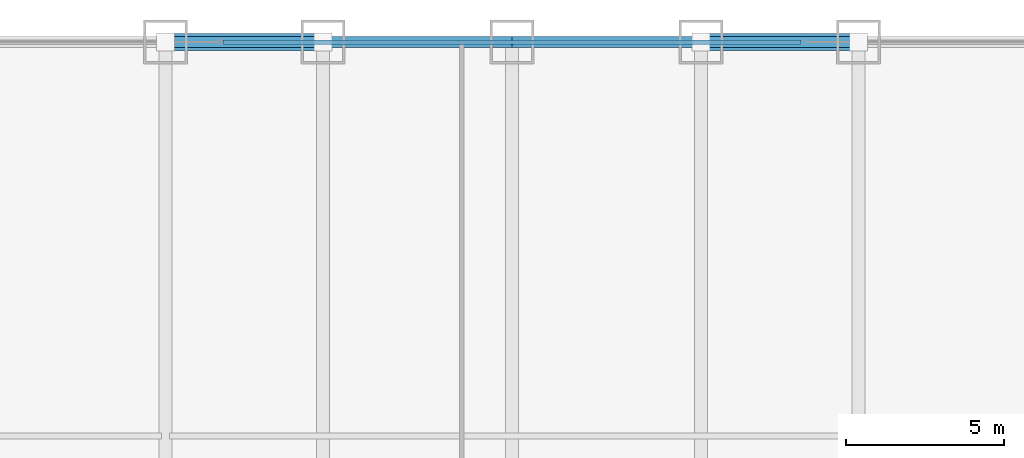
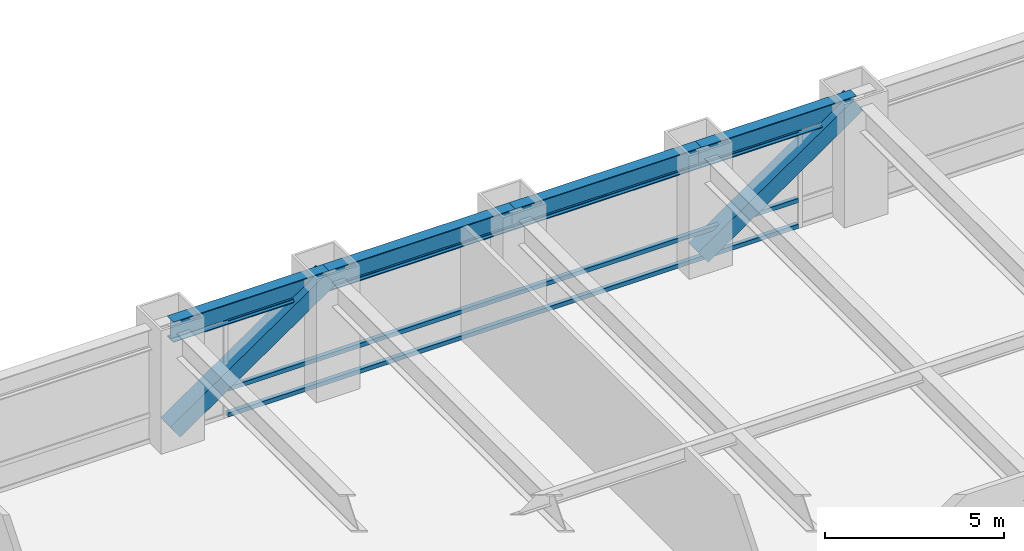
# One storey, part 20 of 28: 5 members, 4 beams, 1 element without a shape of its own.
"""IFC4 building model written with IfcOpenShell, lengths in metres."""

import ifcopenshell
import ifcopenshell.guid

model = None  # the IFC model being written
_history = None  # IfcOwnerHistory: only IFC2X3 demands one
_inside = {}  # id of a spatial element -> (the spatial element, [elements in it])
_under = {}  # id of a project, library or spatial element -> (it, [spatial elements below it])
_declared = {}  # id of a project -> (the project, [libraries it declares])
_typed = {}  # id of a type object -> (the type object, [elements of that type])
_made_of = {}  # id of a material, layer set ... -> (it, [elements and type objects made of it])


def new_model(schema):
    """Start an empty IFC model of exactly this schema.

    Asked for "IFC4X3", IfcOpenShell would pick the latest addendum, in which some entities
    have other attributes; the version numbers below select the first issue.
    IFC2X3 requires an IfcOwnerHistory on every rooted entity: one is made here for all.
    """
    global model, _history
    if schema == "IFC4X3":
        model = ifcopenshell.file(schema_version=(4, 3, 0, 0))
    else:
        model = ifcopenshell.file(schema=schema)
    _inside.clear()
    _under.clear()
    _declared.clear()
    _typed.clear()
    _made_of.clear()
    _history = None
    if model.schema == "IFC2X3":
        org = make("IfcOrganization", Name="unknown")
        user = make(
            "IfcPersonAndOrganization",
            ThePerson=make("IfcPerson", FamilyName="unknown"),
            TheOrganization=org,
        )
        app = make(
            "IfcApplication",
            ApplicationDeveloper=org,
            Version="unknown",
            ApplicationFullName="unknown",
            ApplicationIdentifier="unknown",
        )
        _history = make(
            "IfcOwnerHistory",
            OwningUser=user,
            OwningApplication=app,
            ChangeAction="ADDED",
            CreationDate=0,
        )
    return model


def make(cls, **values):
    """One entity of the class cls with the attributes given. An attribute that is None is left unset."""
    return model.create_entity(
        cls, **{name: value for name, value in values.items() if value is not None}
    )


def rooted(cls, **values):
    """An entity with a GlobalId (a new one), such as an element, a storey or a relation."""
    return make(cls, GlobalId=ifcopenshell.guid.new(), OwnerHistory=_history, **values)


def si_unit(unit_type, name, prefix=None):
    """IfcSIUnit, for example si_unit("LENGTHUNIT", "METRE", prefix="MILLI")."""
    return make("IfcSIUnit", UnitType=unit_type, Prefix=prefix, Name=name)


def assignment(units):
    """IfcUnitAssignment: the units of a project."""
    return None if units is None else make("IfcUnitAssignment", Units=units)


def point(xyz):
    """IfcCartesianPoint."""
    return None if xyz is None else make("IfcCartesianPoint", Coordinates=xyz)


def direction(xyz):
    """IfcDirection."""
    return None if xyz is None else make("IfcDirection", DirectionRatios=xyz)


def frame(location, z_axis=None, x_axis=None):
    """IfcAxis2Placement3D, a coordinate frame: its origin and axes. An axis left out is left unset."""
    return make(
        "IfcAxis2Placement3D",
        Location=point(location),
        Axis=direction(z_axis),
        RefDirection=direction(x_axis),
    )


def frame_2d(location, x_axis=None):
    """IfcAxis2Placement2D, a coordinate frame in the plane: its origin and x axis."""
    return make(
        "IfcAxis2Placement2D", Location=point(location), RefDirection=direction(x_axis)
    )


def origin():
    """The frame at (0, 0, 0) with its axes left unset."""
    return frame((0.0, 0.0, 0.0))


def origin_2d():
    """The frame at (0, 0) in the plane with its x axis left unset."""
    return frame_2d((0.0, 0.0))


def place(relative_to, where):
    """IfcLocalPlacement: puts the frame where relative to a parent placement (None: the world)."""
    return make(
        "IfcLocalPlacement", PlacementRelTo=relative_to, RelativePlacement=where
    )


def context(
    kind, dimensions, precision=None, world=None, true_north=None, identifier=None
):
    """IfcGeometricRepresentationContext, for example the 3D "Model" context."""
    return make(
        "IfcGeometricRepresentationContext",
        ContextIdentifier=identifier,
        ContextType=kind,
        CoordinateSpaceDimension=dimensions,
        Precision=precision,
        WorldCoordinateSystem=world,
        TrueNorth=true_north,
    )


def subcontext(parent, identifier, kind, view, scale=None):
    """IfcGeometricRepresentationSubContext, for example "Body" below "Model"."""
    return make(
        "IfcGeometricRepresentationSubContext",
        ContextIdentifier=identifier,
        ContextType=kind,
        ParentContext=parent,
        TargetScale=scale,
        TargetView=view,
    )


def project(units=None, contexts=None):
    """IfcProject with its units and contexts."""
    return rooted(
        "IfcProject",
        Name="project",
        RepresentationContexts=contexts,
        UnitsInContext=assignment(units),
    )


def spatial(cls, under=None, at=None, **own):
    """A site, building, storey or space (cls), placed at a placement, below another one or the project."""
    s = rooted(cls, ObjectPlacement=at, **own)
    if under is not None:
        _under.setdefault(under.id(), (under, []))[1].append(s)
    return s


def profile(cls, at=None, kind="AREA", **sizes):
    """A parametric profile (cls). Its sizes go by their IFC names, for example OverallWidth=200.0."""
    return make(cls, ProfileType=kind, Position=at, **sizes)


def hollow_rectangle(**sizes):
    """IfcRectangleHollowProfileDef."""
    return profile("IfcRectangleHollowProfileDef", **sizes)


def i_section(**sizes):
    """IfcIShapeProfileDef."""
    return profile("IfcIShapeProfileDef", **sizes)


def extrude(swept, where, along, depth):
    """IfcExtrudedAreaSolid: the profile swept, set in the frame where, extruded along a direction by depth."""
    return make(
        "IfcExtrudedAreaSolid",
        SweptArea=swept,
        Position=where,
        ExtrudedDirection=direction(along),
        Depth=depth,
    )


def shape(context_of_items, identifier, shape_type, items):
    """IfcShapeRepresentation: the items that make up one representation, for example the "Body"."""
    return make(
        "IfcShapeRepresentation",
        ContextOfItems=context_of_items,
        RepresentationIdentifier=identifier,
        RepresentationType=shape_type,
        Items=items,
    )


def source(mapping_origin, context_of_items, identifier, shape_type, items):
    """IfcRepresentationMap: a shape defined once, which mapped items show again and again."""
    return make(
        "IfcRepresentationMap",
        MappingOrigin=mapping_origin,
        MappedRepresentation=shape(context_of_items, identifier, shape_type, items),
    )


def transform(
    local_origin,
    x_axis=None,
    y_axis=None,
    z_axis=None,
    scale=None,
    scale2=None,
    scale3=None,
    uniform=True,
):
    """IfcCartesianTransformationOperator3D, or its non-uniform kind. x_axis, y_axis, z_axis: its Axis1, 2, 3."""
    if uniform:
        return make(
            "IfcCartesianTransformationOperator3D",
            Axis1=direction(x_axis),
            Axis2=direction(y_axis),
            LocalOrigin=point(local_origin),
            Scale=scale,
            Axis3=direction(z_axis),
        )
    return make(
        "IfcCartesianTransformationOperator3DnonUniform",
        Axis1=direction(x_axis),
        Axis2=direction(y_axis),
        LocalOrigin=point(local_origin),
        Scale=scale,
        Axis3=direction(z_axis),
        Scale2=scale2,
        Scale3=scale3,
    )


def mapped(mapping_source, mapping_target):
    """IfcMappedItem: shows the shape of a source again, moved by a transform."""
    return make(
        "IfcMappedItem", MappingSource=mapping_source, MappingTarget=mapping_target
    )


def material(Name=None, Category=None):
    """IfcMaterial."""
    return make("IfcMaterial", Name=Name, Category=Category)


def material_profile(
    of_material, cross_section, Name=None, Category=None, Priority=None
):
    """IfcMaterialProfile: a cross section and its material."""
    return make(
        "IfcMaterialProfile",
        Name=Name,
        Material=of_material,
        Profile=cross_section,
        Priority=Priority,
        Category=Category,
    )


def profile_set(profiles, Name=None, composite=None):
    """IfcMaterialProfileSet."""
    return make(
        "IfcMaterialProfileSet",
        Name=Name,
        MaterialProfiles=profiles,
        CompositeProfile=composite,
    )


def made_of(thing, what):
    """Note that an element or type object is made of a material, layer set ...; save() writes the relation."""
    if what is not None:
        _made_of.setdefault(what.id(), (what, []))[1].append(thing)
    return thing


def type_object(cls, material=None, **own):
    """A type object (cls), such as IfcWallType, which elements share."""
    return made_of(rooted(cls, **own), material)


def element(
    cls,
    number,
    at=None,
    inside=None,
    cuts=None,
    type_object=None,
    material=None,
    context=None,
    identifier="Body",
    shape_type=None,
    held_by="IfcProductDefinitionShape",
    body=None,
    shapes=None,
    **own,
):
    """One element of the class cls, such as IfcWall. Its Tag is "e" and its number.

    at: its placement. inside: the storey or other place that contains it. cuts: it is an
    opening in that element (IfcRelVoidsElement). A single representation is given by context,
    identifier, shape_type and body (its items); several are given by shapes. held_by: the class
    of the entity that holds the representations. save() writes the other relations.
    """
    e = rooted(cls, Tag="e%d" % number, ObjectPlacement=at, **own)
    if body is not None:
        shapes = [shape(context, identifier, shape_type, body)]
    if shapes is not None:
        e.Representation = make(held_by, Representations=shapes)
    if inside is not None:
        _inside.setdefault(inside.id(), (inside, []))[1].append(e)
    if cuts is not None:
        rooted(
            "IfcRelVoidsElement", RelatingBuildingElement=cuts, RelatedOpeningElement=e
        )
    if type_object is not None:
        _typed.setdefault(type_object.id(), (type_object, []))[1].append(e)
    return made_of(e, material)


def aggregate(whole, parts):
    """IfcRelAggregates: a whole, such as a stair, and the parts it consists of."""
    return rooted("IfcRelAggregates", RelatingObject=whole, RelatedObjects=parts)


def save(model, path):
    """Write the relations noted so far, then the file.

    IfcRelAggregates (storeys below a building ...), IfcRelContainedInSpatialStructure (elements
    in a storey), IfcRelDefinesByType, IfcRelAssociatesMaterial and IfcRelDeclares: one each for
    every whole, place, type object, material and project.
    """
    for whole, parts in _under.values():
        aggregate(whole, parts)
    for where, things in _inside.values():
        rooted(
            "IfcRelContainedInSpatialStructure",
            RelatedElements=things,
            RelatingStructure=where,
        )
    for kind, things in _typed.values():
        rooted("IfcRelDefinesByType", RelatedObjects=things, RelatingType=kind)
    for what, things in _made_of.values():
        rooted("IfcRelAssociatesMaterial", RelatedObjects=things, RelatingMaterial=what)
    for by, libraries in _declared.values():
        rooted("IfcRelDeclares", RelatingContext=by, RelatedDefinitions=libraries)
    model.write(path)


model = new_model("IFC4")

# Units and contexts
model_context = context("Model", 3, precision=1e-05, world=origin(), true_north=direction((0.0, 1.0)))
body_context = subcontext(model_context, "Body", "Model", "MODEL_VIEW")
ifc_project = project(units=[si_unit("LENGTHUNIT", "METRE"), si_unit("AREAUNIT", "SQUARE_METRE"), si_unit("VOLUMEUNIT", "CUBIC_METRE"), si_unit("PLANEANGLEUNIT", "RADIAN"), si_unit("MASSUNIT", "GRAM", prefix="KILO")], contexts=[model_context])

# Site, building, storey
site_placement = place(None, origin())
site = spatial("IfcSite", under=ifc_project, at=site_placement, CompositionType="ELEMENT")
building_placement = place(site_placement, origin())
building = spatial("IfcBuilding", under=site, at=building_placement, Name="Khorayat Bourse Tower", CompositionType="ELEMENT")
storey_placement = place(building_placement, frame((0.0, 0.0, 62.0)))
storey = spatial("IfcBuildingStorey", under=building, at=storey_placement, Name="L13", CompositionType="ELEMENT", Elevation=62.0)

# Beams
ifc_material_1 = material(Name="Steel ASTM A992 Grade 50", Category="steel")
ifc_material_profile_1 = material_profile(ifc_material_1, i_section(OverallWidth=0.35498046875, OverallDepth=0.695068359375, WebThickness=0.015380859375, FlangeThickness=0.02490234375, FilletRadius=0.01806640625, at=origin_2d()), Name="W690X217")
ifc_profile_set_1 = profile_set([ifc_material_profile_1], Name="Steel ASTM A992 Grade 50")
beam_type = type_object("IfcBeamType", Name="BM-SPAN-690", PredefinedType="SPANDREL", material=ifc_profile_set_1)
shared_shape_1 = source(origin(), body_context, "Body", "SweptSolid", [
    extrude(i_section(OverallWidth=0.35498046875, OverallDepth=0.695068359375, WebThickness=0.015380859375, FlangeThickness=0.02490234375, FilletRadius=0.01806640625, at=origin_2d()), origin(), (0.0, 0.0, 1.0), 5.0),
])
for number, where, z_axis, x_axis, name in (
    (1, (6.0, 32.0, 3.592529296875), (1.0, 0.0, 0.0), (0.0, 1.0, 0.0), "L13 BM-SPAN-690 BM-L13-SPN-046"),
    (2, (-11.0, 32.0, 3.592529296875), (1.0, 0.0, 0.0), (0.0, 1.0, 0.0), "L13 BM-SPAN-690 BM-L13-SPN-049"),
):
    element("IfcBeam", number, at=place(storey_placement, frame(where, z_axis=z_axis, x_axis=x_axis)), inside=storey, type_object=beam_type, Name=name, PredefinedType="SPANDREL", context=body_context, shape_type="MappedRepresentation", body=[
        mapped(shared_shape_1, transform((0.0, 0.0, 0.0), scale=1.0)),
    ])
shared_shape_2 = source(origin(), body_context, "Body", "SweptSolid", [
    extrude(i_section(OverallWidth=0.35498046875, OverallDepth=0.695068359375, WebThickness=0.015380859375, FlangeThickness=0.02490234375, FilletRadius=0.01806640625, at=origin_2d()), origin(), (0.0, 0.0, 1.0), 6.0),
])
for number, where, z_axis, x_axis, name in (
    (3, (0.0, 32.0, 3.592529296875), (1.0, 0.0, 0.0), (0.0, 1.0, 0.0), "L13 BM-SPAN-690 BM-L13-SPN-047"),
    (4, (-6.0, 32.0, 3.592529296875), (1.0, 0.0, 0.0), (0.0, 1.0, 0.0), "L13 BM-SPAN-690 BM-L13-SPN-048"),
):
    element("IfcBeam", number, at=place(storey_placement, frame(where, z_axis=z_axis, x_axis=x_axis)), inside=storey, type_object=beam_type, Name=name, PredefinedType="SPANDREL", context=body_context, shape_type="MappedRepresentation", body=[
        mapped(shared_shape_2, transform((0.0, 0.0, 0.0), scale=1.0)),
    ])

# Members
ifc_material_2 = material(Name="Steel EN 10025-4 S460M", Category="steel")
ifc_material_profile_2 = material_profile(ifc_material_2, hollow_rectangle(XDim=0.550048828125, YDim=0.550048828125, WallThickness=0.031982421875, at=origin_2d()), Name="HSS 550x550x32")
ifc_profile_set_2 = profile_set([ifc_material_profile_2], Name="Steel EN 10025-4 S460M")
member_type_1 = type_object("IfcMemberType", Name="MBR-TUBE-550", PredefinedType="BRACE", material=ifc_profile_set_2)
shared_shape_3 = source(origin(), body_context, "Body", "SweptSolid", [
    extrude(hollow_rectangle(XDim=0.550048828125, YDim=0.550048828125, WallThickness=0.031982421875, at=origin_2d()), origin(), (0.0, 0.0, 1.0), 6.069091796875),
])
for number, where, z_axis, x_axis, name in (
    (5, (-11.0, 32.0, 0.25), (0.823854080622, 0.0, 0.566801952928), (0.0, 1.0, 0.0), "L13 Perimeter Tube Brace 03"),
    (6, (6.0, 32.0, 0.25), (0.823854080622, 0.0, 0.566801952928), (0.0, 1.0, 0.0), "L13 Perimeter Tube Brace 04"),
):
    element("IfcMember", number, at=place(storey_placement, frame(where, z_axis=z_axis, x_axis=x_axis)), inside=storey, type_object=member_type_1, Name=name, PredefinedType="BRACE", context=body_context, shape_type="MappedRepresentation", body=[
        mapped(shared_shape_3, transform((0.0, 0.0, 0.0), scale=1.0)),
    ])

# Curtain wall, members
ifc_material_3 = material(Name="Aluminium EN AW-6063 T6", Category="aluminium")
curtain_wall_type = type_object("IfcCurtainWallType", Name="CW-SYS-02", PredefinedType="NOTDEFINED", material=ifc_material_3)
curtain_wall_placement = place(storey_placement, origin())
curtain_wall = element("IfcCurtainWall", 7, at=curtain_wall_placement, inside=storey, type_object=curtain_wall_type, Name="L13 Curtain Wall CW-L13-N1", PredefinedType="NOTDEFINED")
ifc_material_profile_3 = material_profile(ifc_material_3, hollow_rectangle(XDim=0.139892578125, YDim=0.139892578125, WallThickness=0.006103515625, at=origin_2d()), Name="ALU 140x140x6")
ifc_profile_set_3 = profile_set([ifc_material_profile_3], Name="Aluminium EN AW-6063 T6")
member_type_2 = type_object("IfcMemberType", Name="CWT-HORZ-140", PredefinedType="USERDEFINED", material=ifc_profile_set_3)
shared_shape_4 = source(origin(), body_context, "Body", "SweptSolid", [
    extrude(hollow_rectangle(XDim=0.139892578125, YDim=0.139892578125, WallThickness=0.006103515625, at=origin_2d()), origin(), (0.0, 0.0, 1.0), 18.35986328125),
])
member_1_placement = place(storey_placement, frame((-9.179931640625, 32.0, 0.070068359375), z_axis=(1.0, 0.0, 0.0), x_axis=(0.0, 1.0, 0.0)))
member_1 = element("IfcMember", 8, at=member_1_placement, type_object=member_type_2, Name="CW-L13-N1 Horizontal Transom 2-1", ObjectType="TRANSOM", PredefinedType="USERDEFINED", context=body_context, shape_type="MappedRepresentation", body=[
    mapped(shared_shape_4, transform((0.0, 0.0, 0.0), scale=1.0)),
])
member_2_placement = place(storey_placement, frame((-9.179931640625, 32.0, 0.949951171875), z_axis=(1.0, 0.0, 0.0), x_axis=(0.0, 1.0, 0.0)))
member_2 = element("IfcMember", 9, at=member_2_placement, type_object=member_type_2, Name="CW-L13-N1 Horizontal Transom 2-2", ObjectType="TRANSOM", PredefinedType="USERDEFINED", context=body_context, shape_type="MappedRepresentation", body=[
    mapped(shared_shape_4, transform((0.0, 0.0, 0.0), scale=1.0)),
])
member_3_placement = place(storey_placement, frame((-9.179931640625, 32.0, 3.219970703125), z_axis=(1.0, 0.0, 0.0), x_axis=(0.0, 1.0, 0.0)))
member_3 = element("IfcMember", 10, at=member_3_placement, type_object=member_type_2, Name="CW-L13-N1 Horizontal Transom 2-3", ObjectType="TRANSOM", PredefinedType="USERDEFINED", context=body_context, shape_type="MappedRepresentation", body=[
    mapped(shared_shape_4, transform((0.0, 0.0, 0.0), scale=1.0)),
])
aggregate(curtain_wall, [member_1, member_2, member_3])

save(model, "model.ifc")
